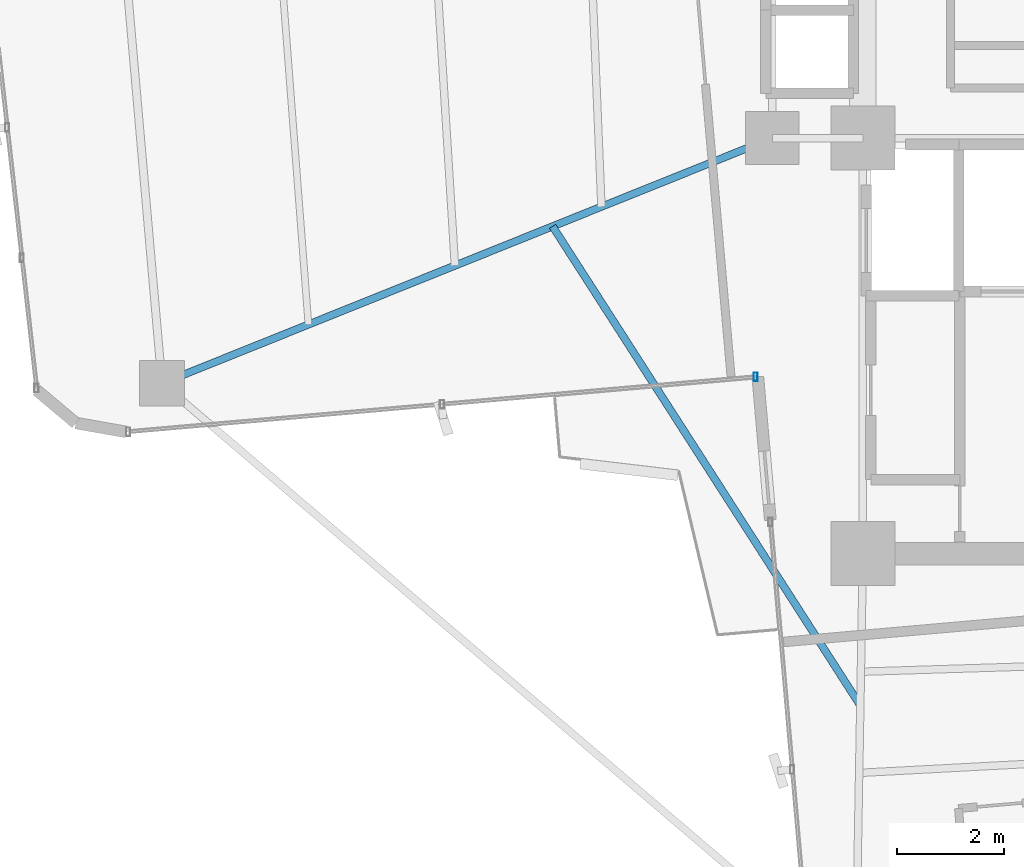
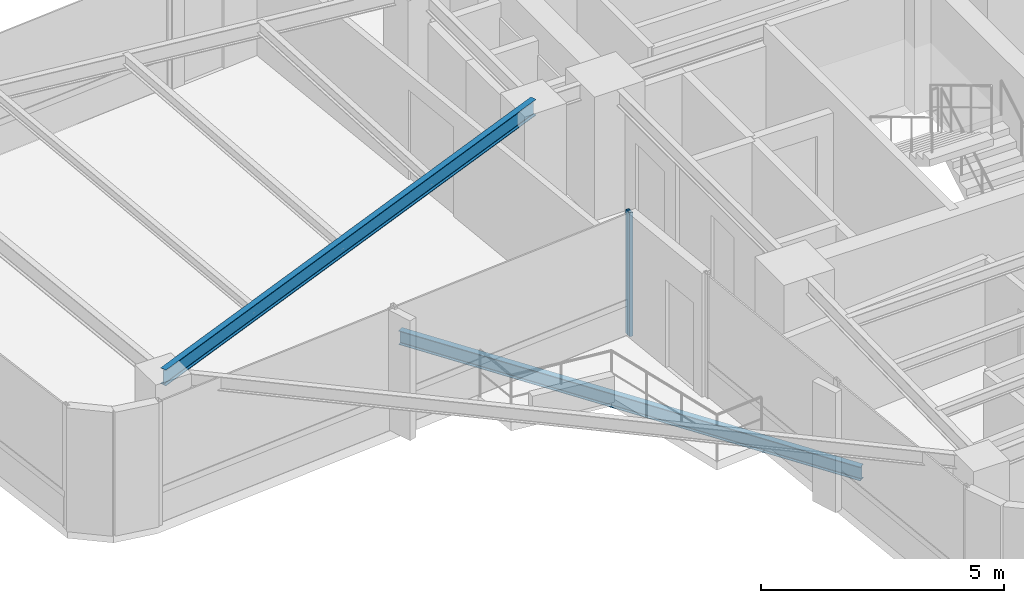
# One storey, part 5 of 24: 2 beams, 1 member, 1 element without a shape of its own.
"""IFC4 building model written with IfcOpenShell, lengths in metres."""

from ifc_helpers import new_model, si_unit, direction, frame, origin, origin_2d, place, context, subcontext, project, spatial, hollow_rectangle, i_section, extrude, source, transform, mapped, material, material_profile, profile_set, type_object, element, aggregate, save


model = new_model("IFC4")

# Units and contexts
model_context = context("Model", 3, precision=1e-05, world=origin(), true_north=direction((0.0, 1.0)))
body_context = subcontext(model_context, "Body", "Model", "MODEL_VIEW")
ifc_project = project(units=[si_unit("LENGTHUNIT", "METRE"), si_unit("AREAUNIT", "SQUARE_METRE"), si_unit("VOLUMEUNIT", "CUBIC_METRE"), si_unit("PLANEANGLEUNIT", "RADIAN"), si_unit("MASSUNIT", "GRAM", prefix="KILO")], contexts=[model_context])

# Site, building, storey
site_placement = place(None, origin())
site = spatial("IfcSite", under=ifc_project, at=site_placement, CompositionType="ELEMENT")
building_placement = place(site_placement, origin())
building = spatial("IfcBuilding", under=site, at=building_placement, Name="Sahyath Konkavel Grand Hotel", CompositionType="ELEMENT")
storey_placement = place(building_placement, frame((0.0, 0.0, 185.25)))
storey = spatial("IfcBuildingStorey", under=building, at=storey_placement, Name="L51", CompositionType="ELEMENT", Elevation=185.25)

# Beam
ifc_material_1 = material(Name="Steel E350", Category="steel")
ifc_material_profile_1 = material_profile(ifc_material_1, i_section(OverallWidth=0.139892578125, OverallDepth=0.39990234375, WebThickness=0.0087890625, FlangeThickness=0.01611328125, FilletRadius=0.013916015625, at=origin_2d()), Name="ISMB 400")
ifc_profile_set_1 = profile_set([ifc_material_profile_1], Name="Steel E350")
beam_type_1 = type_object("IfcBeamType", Name="BM-ISMB400", PredefinedType="BEAM", material=ifc_profile_set_1)
shared_shape_1 = source(origin(), body_context, "Body", "SweptSolid", [
    extrude(i_section(OverallWidth=0.139892578125, OverallDepth=0.39990234375, WebThickness=0.0087890625, FlangeThickness=0.01611328125, FilletRadius=0.013916015625, at=origin_2d()), origin(), (0.0, 0.0, 1.0), 12.344970703125),
])
beam_1_placement = place(storey_placement, frame((-5.5, -2.39990234375, 2.909912109375), z_axis=(-0.927837014101, -0.372985891507, 0.0), x_axis=(0.372985891507, -0.927837014101, 0.0)))
element("IfcBeam", 1, at=beam_1_placement, inside=storey, type_object=beam_type_1, Name="L51 Cruciform Radial Girder WB", PredefinedType="BEAM", context=body_context, shape_type="MappedRepresentation", body=[
    mapped(shared_shape_1, transform((0.0, 0.0, 0.0), scale=1.0)),
])

# Curtain wall, member
ifc_material_2 = material(Name="Anodised Bronze Aluminium & Low-E Glazing", Category="aluminium")
curtain_wall_type = type_object("IfcCurtainWallType", Name="CW-ZONE3", PredefinedType="NOTDEFINED", material=ifc_material_2)
curtain_wall_placement = place(storey_placement, origin())
curtain_wall = element("IfcCurtainWall", 2, at=curtain_wall_placement, inside=storey, type_object=curtain_wall_type, Name="L51 Unitised Curtain Wall F23", PredefinedType="NOTDEFINED")
ifc_material_3 = material(Name="Anodised Bronze Aluminium", Category="aluminium")
ifc_material_profile_2 = material_profile(ifc_material_3, hollow_rectangle(XDim=0.080078125, YDim=0.159912109375, WallThickness=0.006103515625, at=origin_2d()), Name="RHS 160x80x6")
ifc_profile_set_2 = profile_set([ifc_material_profile_2], Name="Anodised Bronze Aluminium")
member_type = type_object("IfcMemberType", Name="CW-MUL-160", PredefinedType="MULLION", material=ifc_profile_set_2)
shared_shape_2 = source(origin(), body_context, "Body", "SweptSolid", [
    extrude(hollow_rectangle(XDim=0.080078125, YDim=0.159912109375, WallThickness=0.006103515625, at=origin_2d()), origin(), (0.0, 0.0, 1.0), 3.110107421875),
])
member_placement = place(storey_placement, frame((-5.812255859375, -6.8828125, 0.0), z_axis=(0.0, 0.0, 1.0), x_axis=(1.0, 0.0, 0.0)))
member = element("IfcMember", 3, at=member_placement, type_object=member_type, Name="L51 Curtain Wall Mullion F23-2", PredefinedType="MULLION", context=body_context, shape_type="MappedRepresentation", body=[
    mapped(shared_shape_2, transform((0.0, 0.0, 0.0), scale=1.0)),
])
aggregate(curtain_wall, [member])

# Beam
ifc_material_profile_3 = material_profile(ifc_material_1, i_section(OverallWidth=0.139892578125, OverallDepth=0.35009765625, WebThickness=0.008056640625, FlangeThickness=0.01416015625, FilletRadius=0.013916015625, at=origin_2d()), Name="ISMB 350")
ifc_profile_set_3 = profile_set([ifc_material_profile_3], Name="Steel E350")
beam_type_2 = type_object("IfcBeamType", Name="BM-BALC-CANT", PredefinedType="BEAM", material=ifc_profile_set_3)
shared_shape_3 = source(origin(), body_context, "Body", "SweptSolid", [
    extrude(i_section(OverallWidth=0.139892578125, OverallDepth=0.35009765625, WebThickness=0.008056640625, FlangeThickness=0.01416015625, FilletRadius=0.013916015625, at=origin_2d()), origin(), (0.0, 0.0, 1.0), 10.685302734375),
])
beam_2_placement = place(storey_placement, frame((-9.62353515625, -4.0576171875, -0.4150390625), z_axis=(0.540404181048, -0.841405562797, 0.0), x_axis=(0.841405562797, 0.540404181048, 0.0)))
element("IfcBeam", 4, at=beam_2_placement, inside=storey, type_object=beam_type_2, Name="L51 Balcony Cantilever Support Beam SW", PredefinedType="BEAM", context=body_context, shape_type="MappedRepresentation", body=[
    mapped(shared_shape_3, transform((0.0, 0.0, 0.0), scale=1.0)),
])

save(model, "model.ifc")
